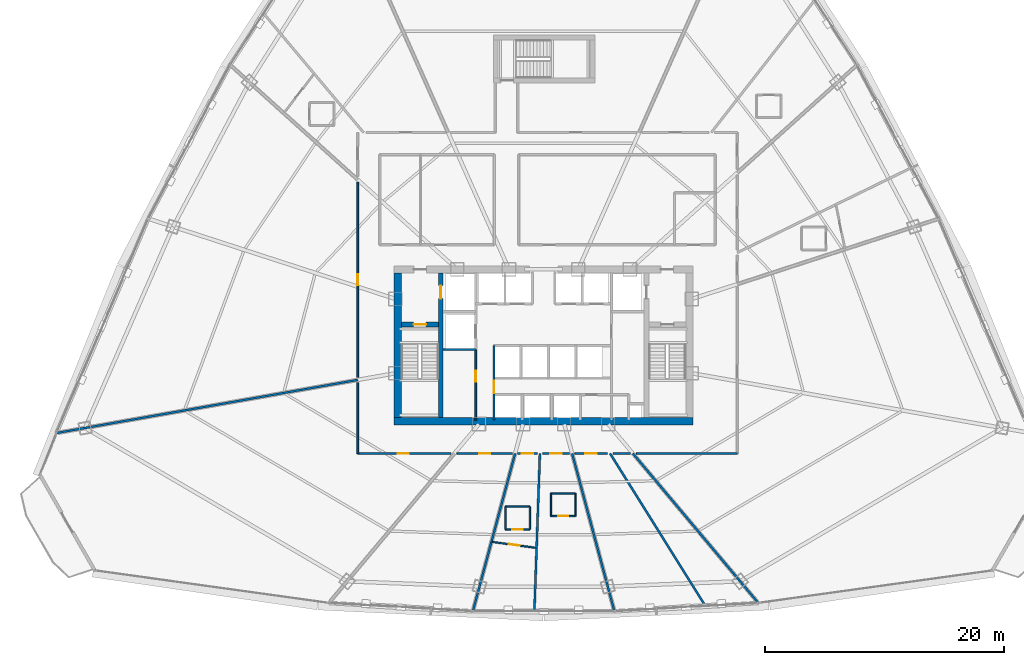
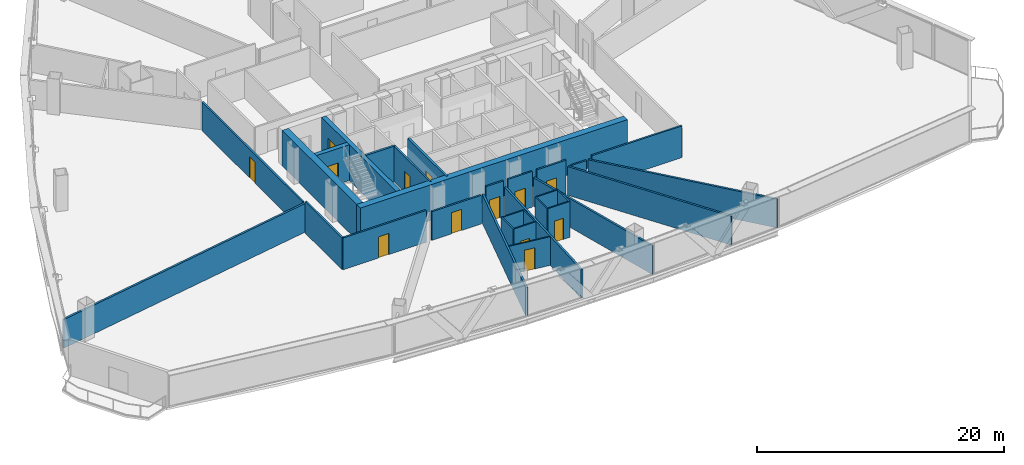
# One storey, part 29 of 37: 31 walls, 13 doors, 13 openings.
"""IFC4 building model written with IfcOpenShell, lengths in metres."""

from ifc_helpers import new_model, si_unit, direction, frame, frame_2d, origin, origin_with_axes, place, context, subcontext, project, spatial, rectangle, extrude, source, transform, mapped, material, layer, layer_set, type_object, element, fill, save


model = new_model("IFC4")

# Units and contexts
model_context = context("Model", 3, precision=1e-05, world=origin(), true_north=direction((0.0, 1.0)))
body_context = subcontext(model_context, "Body", "Model", "MODEL_VIEW")
ifc_project = project(units=[si_unit("LENGTHUNIT", "METRE"), si_unit("AREAUNIT", "SQUARE_METRE"), si_unit("VOLUMEUNIT", "CUBIC_METRE"), si_unit("PLANEANGLEUNIT", "RADIAN"), si_unit("MASSUNIT", "GRAM", prefix="KILO"), si_unit("THERMODYNAMICTEMPERATUREUNIT", "KELVIN"), si_unit("POWERUNIT", "WATT")], contexts=[model_context])

# Site, building, storey
site_placement = place(None, origin())
site = spatial("IfcSite", under=ifc_project, at=site_placement, CompositionType="ELEMENT")
building_placement = place(site_placement, origin())
building = spatial("IfcBuilding", under=site, at=building_placement, Name="Yunzhuo Pagoda Commons", CompositionType="ELEMENT")
storey_placement = place(building_placement, frame((0.0, 0.0, 88.780029296875)))
storey = spatial("IfcBuildingStorey", under=building, at=storey_placement, Name="L22", CompositionType="ELEMENT", Elevation=88.780029296875)

# Walls
ifc_material_1 = material(Name="Concrete C60", Category="concrete")
ifc_layer_1 = layer(ifc_material_1, 0.60009765625)
ifc_layer_set_1 = layer_set([ifc_layer_1], Name="Concrete C60")
wall_type_1 = type_object("IfcWallType", Name="W-C02 Mid Core Shear Wall 600", PredefinedType="SHEAR", material=ifc_layer_set_1)
wall_1_placement = place(storey_placement, frame((35.5, 27.5, 0.0), z_axis=(0.0, 0.0, 1.0), x_axis=(1.0, 0.0, 0.0)))
element("IfcWall", 1, at=wall_1_placement, inside=storey, type_object=wall_type_1, Name="L22 core shear wall S", PredefinedType="SHEAR", context=body_context, shape_type="SweptSolid", body=[
    extrude(rectangle(XDim=25.0, YDim=0.60009765625, at=frame_2d((12.5, 0.0))), origin(), (0.0, 0.0, 1.0), 3.5400390625),
])
wall_2_placement = place(storey_placement, frame((35.800048828125, 27.800048828125, 0.0), z_axis=(0.0, 0.0, 1.0), x_axis=(0.0, 1.0, 0.0)))
element("IfcWall", 2, at=wall_2_placement, inside=storey, type_object=wall_type_1, Name="L22 core shear wall W", PredefinedType="SHEAR", context=body_context, shape_type="SweptSolid", body=[
    extrude(rectangle(XDim=12.099853515625, YDim=0.60009765625, at=frame_2d((6.0498046875, 0.0))), origin(), (0.0, 0.0, 1.0), 3.5400390625),
])

# Wall, opening, door
ifc_material_2 = material(Name="Gypsum plasterboard on acoustic stud")
ifc_layer_2 = layer(ifc_material_2, 0.159912109375)
ifc_layer_set_2 = layer_set([ifc_layer_2], Name="Gypsum plasterboard on acoustic stud")
wall_type_2 = type_object("IfcWallType", Name="W-COR1 Tower Rated Corridor Wall 160", PredefinedType="PARTITIONING", material=ifc_layer_set_2)
wall_3_placement = place(storey_placement, frame((42.320068359375, 27.60009765625, 0.0), z_axis=(0.0, 0.0, 1.0), x_axis=(0.0, 1.0, 0.0)))
wall_3 = element("IfcWall", 3, at=wall_3_placement, inside=storey, type_object=wall_type_2, Name="L22 interior wall IW-L22-CSWE", PredefinedType="PARTITIONING", context=body_context, shape_type="SweptSolid", body=[
    extrude(rectangle(XDim=5.89990234375, YDim=0.159912109375, at=frame_2d((2.949951171875, 0.0))), origin(), (0.0, 0.0, 1.0), 3.5400390625),
])
opening_1_placement = place(wall_3_placement, frame((3.199951171875, 0.0, 0.0)))
opening_1 = element("IfcOpeningElement", 4, at=opening_1_placement, cuts=wall_3, Name="Opening D-11", PredefinedType="OPENING", context=body_context, shape_type="SweptSolid", body=[
    extrude(rectangle(XDim=0.93994140625, YDim=2.10009765625, at=frame_2d((0.469970703125, 1.050048828125))), frame((0.0, 0.08984375, 0.0), z_axis=(0.0, -1.0, 0.0), x_axis=(1.0, 0.0, 0.0)), (0.0, 0.0, 1.0), 0.179931640625),
])
ifc_material_3 = material(Name="Galvanized fire-resisting metal leaf")
door_type_1 = type_object("IfcDoorType", Name="D-11 Accessible Washroom Fire Door 940x2100", OperationType="NOTDEFINED", PredefinedType="DOOR", material=ifc_material_3)
shared_shape_1 = source(origin(), body_context, "Body", "SweptSolid", [
    extrude(rectangle(XDim=0.93994140625, YDim=2.10009765625, at=frame_2d((0.469970703125, 1.050048828125))), frame((0.0, 0.02490234375, 0.0), z_axis=(0.0, -1.0, 0.0), x_axis=(1.0, 0.0, 0.0)), (0.0, 0.0, 1.0), 0.050048828125),
])
door_1_placement = place(opening_1_placement, origin_with_axes())
door_1 = element("IfcDoor", 5, at=door_1_placement, inside=storey, type_object=door_type_1, Name="L22 core WC door", OperationType="SINGLE_SWING_LEFT", OverallHeight=2.10009765625, OverallWidth=0.93994140625, PredefinedType="DOOR", context=body_context, shape_type="MappedRepresentation", body=[
    mapped(shared_shape_1, transform((0.0, 0.0, 0.0), scale=1.0)),
])
fill(opening_1, door_1)

# Wall
wall_4_placement = place(storey_placement, frame((32.449951171875, 24.800048828125, 0.0), z_axis=(0.0, 0.0, 1.0), x_axis=(0.0, 1.0, 0.0)))
element("IfcWall", 6, at=wall_4_placement, inside=storey, type_object=wall_type_2, Name="L22 interior wall IW-L22-CWL01", PredefinedType="PARTITIONING", context=body_context, shape_type="SweptSolid", body=[
    extrude(rectangle(XDim=5.9345703125, YDim=0.159912109375, at=frame_2d((2.96728515625, 0.0))), origin(), (0.0, 0.0, 1.0), 3.139892578125),
])

# Wall, opening, door
wall_5_placement = place(storey_placement, frame((32.449951171875, 31.177978515625, 0.0), z_axis=(0.0, 0.0, 1.0), x_axis=(0.0, 1.0, 0.0)))
wall_5 = element("IfcWall", 7, at=wall_5_placement, inside=storey, type_object=wall_type_2, Name="L22 interior wall IW-L22-CWL02", PredefinedType="PARTITIONING", context=body_context, shape_type="SweptSolid", body=[
    extrude(rectangle(XDim=16.3037109375, YDim=0.159912109375, at=frame_2d((8.15185546875, 0.0))), origin(), (0.0, 0.0, 1.0), 2.840087890625),
])
opening_2_placement = place(wall_5_placement, frame((7.6767578125, 0.0, 0.0)))
opening_2 = element("IfcOpeningElement", 8, at=opening_2_placement, cuts=wall_5, Name="Opening D-06", PredefinedType="OPENING", context=body_context, shape_type="SweptSolid", body=[
    extrude(rectangle(XDim=0.949951171875, YDim=2.10009765625, at=frame_2d((0.47509765625, 1.050048828125))), frame((0.0, 0.08984375, 0.0), z_axis=(0.0, -1.0, 0.0), x_axis=(1.0, 0.0, 0.0)), (0.0, 0.0, 1.0), 0.179931640625),
])
door_type_2 = type_object("IfcDoorType", Name="D-06 Co-Living Suite Entrance Fire Door 950x2100", OperationType="NOTDEFINED", PredefinedType="DOOR", material=ifc_material_3)
shared_shape_2 = source(origin(), body_context, "Body", "SweptSolid", [
    extrude(rectangle(XDim=0.949951171875, YDim=2.10009765625, at=frame_2d((0.47509765625, 1.050048828125))), frame((0.0, 0.02490234375, 0.0), z_axis=(0.0, -1.0, 0.0), x_axis=(1.0, 0.0, 0.0)), (0.0, 0.0, 1.0), 0.050048828125),
])
door_2_placement = place(opening_2_placement, origin_with_axes())
door_2 = element("IfcDoor", 9, at=door_2_placement, inside=storey, type_object=door_type_2, Name="L22 Shared Resident Kitchen and Pantry door", OperationType="SINGLE_SWING_RIGHT", OverallHeight=2.10009765625, OverallWidth=0.949951171875, PredefinedType="DOOR", context=body_context, shape_type="MappedRepresentation", body=[
    mapped(shared_shape_2, transform((0.0, 0.0, 0.0), scale=1.0)),
])
fill(opening_2, door_2)

# Walls
wall_6_placement = place(storey_placement, frame((64.199951171875, 24.800048828125, 0.0), z_axis=(0.0, 0.0, 1.0), x_axis=(-1.0, 0.0, 0.0)))
element("IfcWall", 10, at=wall_6_placement, inside=storey, type_object=wall_type_2, Name="L22 interior wall IW-L22-CWL15", PredefinedType="PARTITIONING", context=body_context, shape_type="SweptSolid", body=[
    extrude(rectangle(XDim=8.44482421875, YDim=0.159912109375, at=frame_2d((4.222412109375, 0.0))), origin(), (0.0, 0.0, 1.0), 3.139892578125),
])
wall_7_placement = place(storey_placement, frame((55.248046875, 24.800048828125, 0.0), z_axis=(0.0, 0.0, 1.0), x_axis=(-1.0, 0.0, 0.0)))
element("IfcWall", 11, at=wall_7_placement, inside=storey, type_object=wall_type_2, Name="L22 interior wall IW-L22-CWL16", PredefinedType="PARTITIONING", context=body_context, shape_type="SweptSolid", body=[
    extrude(rectangle(XDim=1.42724609375, YDim=0.159912109375, at=frame_2d((0.713623046875, 0.0))), origin(), (0.0, 0.0, 1.0), 2.840087890625),
])

# Wall, opening, door
wall_8_placement = place(storey_placement, frame((53.341552734375, 24.800048828125, 0.0), z_axis=(0.0, 0.0, 1.0), x_axis=(-1.0, 0.0, 0.0)))
wall_8 = element("IfcWall", 12, at=wall_8_placement, inside=storey, type_object=wall_type_2, Name="L22 interior wall IW-L22-CWL17", PredefinedType="PARTITIONING", context=body_context, shape_type="SweptSolid", body=[
    extrude(rectangle(XDim=2.72900390625, YDim=0.159912109375, at=frame_2d((1.364501953125, 0.0))), origin(), (0.0, 0.0, 1.0), 3.5400390625),
])
opening_3_placement = place(wall_8_placement, frame((0.8935546875, 0.0, 0.0)))
opening_3 = element("IfcOpeningElement", 13, at=opening_3_placement, cuts=wall_8, Name="Opening D-06", PredefinedType="OPENING", context=body_context, shape_type="SweptSolid", body=[
    extrude(rectangle(XDim=0.949951171875, YDim=2.10009765625, at=frame_2d((0.47509765625, 1.050048828125))), frame((0.0, 0.08984375, 0.0), z_axis=(0.0, -1.0, 0.0), x_axis=(1.0, 0.0, 0.0)), (0.0, 0.0, 1.0), 0.179931640625),
])
door_3_placement = place(opening_3_placement, origin_with_axes())
door_3 = element("IfcDoor", 14, at=door_3_placement, inside=storey, type_object=door_type_2, Name="L22 unit 13 entrance door", OperationType="SINGLE_SWING_LEFT", OverallHeight=2.10009765625, OverallWidth=0.949951171875, PredefinedType="DOOR", context=body_context, shape_type="MappedRepresentation", body=[
    mapped(shared_shape_2, transform((0.0, 0.0, 0.0), scale=1.0)),
])
fill(opening_3, door_3)

wall_9_placement = place(storey_placement, frame((50.164794921875, 24.800048828125, 0.0), z_axis=(0.0, 0.0, 1.0), x_axis=(-1.0, 0.0, 0.0)))
wall_9 = element("IfcWall", 15, at=wall_9_placement, inside=storey, type_object=wall_type_2, Name="L22 interior wall IW-L22-CWL18", PredefinedType="PARTITIONING", context=body_context, shape_type="SweptSolid", body=[
    extrude(rectangle(XDim=2.255859375, YDim=0.159912109375, at=frame_2d((1.1279296875, 0.0))), origin(), (0.0, 0.0, 1.0), 3.5400390625),
])
opening_4_placement = place(wall_9_placement, frame((0.65283203125, 0.0, 0.0)))
opening_4 = element("IfcOpeningElement", 16, at=opening_4_placement, cuts=wall_9, Name="Opening D-06", PredefinedType="OPENING", context=body_context, shape_type="SweptSolid", body=[
    extrude(rectangle(XDim=0.949951171875, YDim=2.10009765625, at=frame_2d((0.47509765625, 1.050048828125))), frame((0.0, 0.08984375, 0.0), z_axis=(0.0, -1.0, 0.0), x_axis=(1.0, 0.0, 0.0)), (0.0, 0.0, 1.0), 0.179931640625),
])
door_4_placement = place(opening_4_placement, origin_with_axes())
door_4 = element("IfcDoor", 17, at=door_4_placement, inside=storey, type_object=door_type_2, Name="L22 unit 12 entrance door", OperationType="SINGLE_SWING_RIGHT", OverallHeight=2.10009765625, OverallWidth=0.949951171875, PredefinedType="DOOR", context=body_context, shape_type="MappedRepresentation", body=[
    mapped(shared_shape_2, transform((0.0, 0.0, 0.0), scale=1.0)),
])
fill(opening_4, door_4)

wall_10_placement = place(storey_placement, frame((47.468994140625, 24.800048828125, 0.0), z_axis=(0.0, 0.0, 1.0), x_axis=(-1.0, 0.0, 0.0)))
wall_10 = element("IfcWall", 18, at=wall_10_placement, inside=storey, type_object=wall_type_2, Name="L22 interior wall IW-L22-CWL19", PredefinedType="PARTITIONING", context=body_context, shape_type="SweptSolid", body=[
    extrude(rectangle(XDim=1.6337890625, YDim=0.159912109375, at=frame_2d((0.81689453125, 0.0))), origin(), (0.0, 0.0, 1.0), 3.5400390625),
])
opening_5_placement = place(wall_10_placement, frame((0.341796875, 0.0, 0.0)))
opening_5 = element("IfcOpeningElement", 19, at=opening_5_placement, cuts=wall_10, Name="Opening D-06", PredefinedType="OPENING", context=body_context, shape_type="SweptSolid", body=[
    extrude(rectangle(XDim=0.949951171875, YDim=2.10009765625, at=frame_2d((0.47509765625, 1.050048828125))), frame((0.0, 0.08984375, 0.0), z_axis=(0.0, -1.0, 0.0), x_axis=(1.0, 0.0, 0.0)), (0.0, 0.0, 1.0), 0.179931640625),
])
door_5_placement = place(opening_5_placement, origin_with_axes())
door_5 = element("IfcDoor", 20, at=door_5_placement, inside=storey, type_object=door_type_2, Name="L22 unit 11 entrance door", OperationType="SINGLE_SWING_LEFT", OverallHeight=2.10009765625, OverallWidth=0.949951171875, PredefinedType="DOOR", context=body_context, shape_type="MappedRepresentation", body=[
    mapped(shared_shape_2, transform((0.0, 0.0, 0.0), scale=1.0)),
])
fill(opening_5, door_5)

wall_11_placement = place(storey_placement, frame((45.387451171875, 24.800048828125, 0.0), z_axis=(0.0, 0.0, 1.0), x_axis=(-1.0, 0.0, 0.0)))
wall_11 = element("IfcWall", 21, at=wall_11_placement, inside=storey, type_object=wall_type_2, Name="L22 interior wall IW-L22-CWL20", PredefinedType="PARTITIONING", context=body_context, shape_type="SweptSolid", body=[
    extrude(rectangle(XDim=4.635498046875, YDim=0.159912109375, at=frame_2d((2.31787109375, 0.0))), origin(), (0.0, 0.0, 1.0), 2.840087890625),
])
opening_6_placement = place(wall_11_placement, frame((1.8388671875, 0.0, 0.0)))
opening_6 = element("IfcOpeningElement", 22, at=opening_6_placement, cuts=wall_11, Name="Opening D-06", PredefinedType="OPENING", context=body_context, shape_type="SweptSolid", body=[
    extrude(rectangle(XDim=0.949951171875, YDim=2.10009765625, at=frame_2d((0.47509765625, 1.050048828125))), frame((0.0, 0.08984375, 0.0), z_axis=(0.0, -1.0, 0.0), x_axis=(1.0, 0.0, 0.0)), (0.0, 0.0, 1.0), 0.179931640625),
])
door_6_placement = place(opening_6_placement, origin_with_axes())
door_6 = element("IfcDoor", 23, at=door_6_placement, inside=storey, type_object=door_type_2, Name="L22 unit 10 entrance door", OperationType="SINGLE_SWING_RIGHT", OverallHeight=2.10009765625, OverallWidth=0.949951171875, PredefinedType="DOOR", context=body_context, shape_type="MappedRepresentation", body=[
    mapped(shared_shape_2, transform((0.0, 0.0, 0.0), scale=1.0)),
])
fill(opening_6, door_6)

wall_12_placement = place(storey_placement, frame((40.244873046875, 24.800048828125, 0.0), z_axis=(0.0, 0.0, 1.0), x_axis=(-1.0, 0.0, 0.0)))
wall_12 = element("IfcWall", 24, at=wall_12_placement, inside=storey, type_object=wall_type_2, Name="L22 interior wall IW-L22-CWL21", PredefinedType="PARTITIONING", context=body_context, shape_type="SweptSolid", body=[
    extrude(rectangle(XDim=7.794921875, YDim=0.159912109375, at=frame_2d((3.8974609375, 0.0))), origin(), (0.0, 0.0, 1.0), 3.139892578125),
])
opening_7_placement = place(wall_12_placement, frame((3.5087890625, 0.0, 0.0)))
opening_7 = element("IfcOpeningElement", 25, at=opening_7_placement, cuts=wall_12, Name="Opening D-06", PredefinedType="OPENING", context=body_context, shape_type="SweptSolid", body=[
    extrude(rectangle(XDim=0.949951171875, YDim=2.10009765625, at=frame_2d((0.47509765625, 1.050048828125))), frame((0.0, 0.08984375, 0.0), z_axis=(0.0, -1.0, 0.0), x_axis=(1.0, 0.0, 0.0)), (0.0, 0.0, 1.0), 0.179931640625),
])
door_7_placement = place(opening_7_placement, origin_with_axes())
door_7 = element("IfcDoor", 26, at=door_7_placement, inside=storey, type_object=door_type_2, Name="L22 unit 09 entrance door", OperationType="SINGLE_SWING_LEFT", OverallHeight=2.10009765625, OverallWidth=0.949951171875, PredefinedType="DOOR", context=body_context, shape_type="MappedRepresentation", body=[
    mapped(shared_shape_2, transform((0.0, 0.0, 0.0), scale=1.0)),
])
fill(opening_7, door_7)

ifc_layer_3 = layer(ifc_material_2, 0.1201171875)
ifc_layer_set_3 = layer_set([ifc_layer_3], Name="Gypsum plasterboard on acoustic stud")
wall_type_3 = type_object("IfcWallType", Name="W-PRT1 Suite & Bathroom Partition 120", PredefinedType="PARTITIONING", material=ifc_layer_set_3)
wall_13_placement = place(storey_placement, frame((44.7958984375, 18.4609375, 0.0), z_axis=(0.0, 0.0, 1.0), x_axis=(1.0, 0.0, 0.0)))
wall_13 = element("IfcWall", 27, at=wall_13_placement, inside=storey, type_object=wall_type_3, Name="L22 interior wall IW-L22-B11S", PredefinedType="PARTITIONING", context=body_context, shape_type="SweptSolid", body=[
    extrude(rectangle(XDim=2.050048828125, YDim=0.1201171875, at=frame_2d((1.02490234375, 0.0))), origin(), (0.0, 0.0, 1.0), 3.5400390625),
])
opening_8_placement = place(wall_13_placement, frame((0.60009765625, 0.0, 0.0)))
opening_8 = element("IfcOpeningElement", 28, at=opening_8_placement, cuts=wall_13, Name="Opening D-05", PredefinedType="OPENING", context=body_context, shape_type="SweptSolid", body=[
    extrude(rectangle(XDim=0.85009765625, YDim=2.10009765625, at=frame_2d((0.425048828125, 1.050048828125))), frame((0.0, 0.070068359375, 0.0), z_axis=(0.0, -1.0, 0.0), x_axis=(1.0, 0.0, 0.0)), (0.0, 0.0, 1.0), 0.14013671875),
])
ifc_material_4 = material(Name="Powder-coated aluminium and timber acoustic leaf", Category="wood")
door_type_3 = type_object("IfcDoorType", Name="D-05 En-Suite Bathroom Door 850x2100", OperationType="NOTDEFINED", PredefinedType="DOOR", material=ifc_material_4)
shared_shape_3 = source(origin(), body_context, "Body", "SweptSolid", [
    extrude(rectangle(XDim=0.85009765625, YDim=2.10009765625, at=frame_2d((0.425048828125, 1.050048828125))), frame((0.0, 0.02490234375, 0.0), z_axis=(0.0, -1.0, 0.0), x_axis=(1.0, 0.0, 0.0)), (0.0, 0.0, 1.0), 0.050048828125),
])
door_8_placement = place(opening_8_placement, frame((0.85009765625, 0.0, 0.0), z_axis=(0.0, 0.0, 1.0), x_axis=(-1.0, 0.0, 0.0)))
door_8 = element("IfcDoor", 29, at=door_8_placement, inside=storey, type_object=door_type_3, Name="L22 unit 11 bathroom door", OperationType="SINGLE_SWING_LEFT", OverallHeight=2.10009765625, OverallWidth=0.85009765625, PredefinedType="DOOR", context=body_context, shape_type="MappedRepresentation", body=[
    mapped(shared_shape_3, transform((0.0, 0.0, 0.0), scale=1.0)),
])
fill(opening_8, door_8)

# Walls
wall_14_placement = place(storey_placement, frame((46.845947265625, 18.4609375, 0.0), z_axis=(0.0, 0.0, 1.0), x_axis=(0.0, 1.0, 0.0)))
element("IfcWall", 30, at=wall_14_placement, inside=storey, type_object=wall_type_3, Name="L22 interior wall IW-L22-B11E", PredefinedType="PARTITIONING", context=body_context, shape_type="SweptSolid", body=[
    extrude(rectangle(XDim=1.900146484375, YDim=0.1201171875, at=frame_2d((0.9501953125, 0.0))), origin(), (0.0, 0.0, 1.0), 3.5400390625),
])
wall_15_placement = place(storey_placement, frame((46.845947265625, 20.361083984375, 0.0), z_axis=(0.0, 0.0, 1.0), x_axis=(-1.0, 0.0, 0.0)))
element("IfcWall", 31, at=wall_15_placement, inside=storey, type_object=wall_type_3, Name="L22 interior wall IW-L22-B11N", PredefinedType="PARTITIONING", context=body_context, shape_type="SweptSolid", body=[
    extrude(rectangle(XDim=2.050048828125, YDim=0.1201171875, at=frame_2d((1.02490234375, 0.0))), origin(), (0.0, 0.0, 1.0), 3.5400390625),
])
wall_16_placement = place(storey_placement, frame((44.7958984375, 20.361083984375, 0.0), z_axis=(0.0, 0.0, 1.0), x_axis=(0.0, -1.0, 0.0)))
element("IfcWall", 32, at=wall_16_placement, inside=storey, type_object=wall_type_3, Name="L22 interior wall IW-L22-B11W", PredefinedType="PARTITIONING", context=body_context, shape_type="SweptSolid", body=[
    extrude(rectangle(XDim=1.900146484375, YDim=0.1201171875, at=frame_2d((0.9501953125, 0.0))), origin(), (0.0, 0.0, 1.0), 3.5400390625),
])

# Wall, opening, door
wall_17_placement = place(storey_placement, frame((43.69580078125, 17.405029296875, 0.0), z_axis=(0.0, 0.0, 1.0), x_axis=(0.99099005791, -0.133935451329, 0.0)))
wall_17 = element("IfcWall", 33, at=wall_17_placement, inside=storey, type_object=wall_type_3, Name="L22 interior wall IW-L22-CLB11", PredefinedType="PARTITIONING", context=body_context, shape_type="SweptSolid", body=[
    extrude(rectangle(XDim=3.691162109375, YDim=0.1201171875, at=frame_2d((1.845703125, 0.0))), origin(), (0.0, 0.0, 1.0), 2.840087890625),
])
opening_9_placement = place(wall_17_placement, frame((1.385498046875, 0.0, 0.0)))
opening_9 = element("IfcOpeningElement", 34, at=opening_9_placement, cuts=wall_17, Name="Opening D-04", PredefinedType="OPENING", context=body_context, shape_type="SweptSolid", body=[
    extrude(rectangle(XDim=0.919921875, YDim=2.10009765625, at=frame_2d((0.4599609375, 1.050048828125))), frame((0.0, 0.070068359375, 0.0), z_axis=(0.0, -1.0, 0.0), x_axis=(1.0, 0.0, 0.0)), (0.0, 0.0, 1.0), 0.14013671875),
])
door_type_4 = type_object("IfcDoorType", Name="D-04 Bedroom & Study Interior Door 920x2100", OperationType="NOTDEFINED", PredefinedType="DOOR", material=ifc_material_4)
shared_shape_4 = source(origin(), body_context, "Body", "SweptSolid", [
    extrude(rectangle(XDim=0.919921875, YDim=2.10009765625, at=frame_2d((0.4599609375, 1.050048828125))), frame((0.0, 0.02490234375, 0.0), z_axis=(0.0, -1.0, 0.0), x_axis=(1.0, 0.0, 0.0)), (0.0, 0.0, 1.0), 0.050048828125),
])
door_9_placement = place(opening_9_placement, origin_with_axes())
door_9 = element("IfcDoor", 35, at=door_9_placement, inside=storey, type_object=door_type_4, Name="L22 suite 11 bedroom door", OperationType="SINGLE_SWING_LEFT", OverallHeight=2.10009765625, OverallWidth=0.919921875, PredefinedType="DOOR", context=body_context, shape_type="MappedRepresentation", body=[
    mapped(shared_shape_4, transform((0.0, 0.0, 0.0), scale=1.0)),
])
fill(opening_9, door_9)

wall_18_placement = place(storey_placement, frame((48.615966796875, 19.56591796875, 0.0), z_axis=(0.0, 0.0, 1.0), x_axis=(1.0, 0.0, 0.0)))
wall_18 = element("IfcWall", 36, at=wall_18_placement, inside=storey, type_object=wall_type_3, Name="L22 interior wall IW-L22-B12S", PredefinedType="PARTITIONING", context=body_context, shape_type="SweptSolid", body=[
    extrude(rectangle(XDim=2.050048828125, YDim=0.1201171875, at=frame_2d((1.02490234375, 0.0))), origin(), (0.0, 0.0, 1.0), 3.5400390625),
])
opening_10_placement = place(wall_18_placement, frame((0.60009765625, 0.0, 0.0)))
opening_10 = element("IfcOpeningElement", 37, at=opening_10_placement, cuts=wall_18, Name="Opening D-05", PredefinedType="OPENING", context=body_context, shape_type="SweptSolid", body=[
    extrude(rectangle(XDim=0.85009765625, YDim=2.10009765625, at=frame_2d((0.425048828125, 1.050048828125))), frame((0.0, 0.070068359375, 0.0), z_axis=(0.0, -1.0, 0.0), x_axis=(1.0, 0.0, 0.0)), (0.0, 0.0, 1.0), 0.14013671875),
])
door_10_placement = place(opening_10_placement, frame((0.85009765625, 0.0, 0.0), z_axis=(0.0, 0.0, 1.0), x_axis=(-1.0, 0.0, 0.0)))
door_10 = element("IfcDoor", 38, at=door_10_placement, inside=storey, type_object=door_type_3, Name="L22 unit 12 bathroom door", OperationType="SINGLE_SWING_RIGHT", OverallHeight=2.10009765625, OverallWidth=0.85009765625, PredefinedType="DOOR", context=body_context, shape_type="MappedRepresentation", body=[
    mapped(shared_shape_3, transform((0.0, 0.0, 0.0), scale=1.0)),
])
fill(opening_10, door_10)

# Walls
wall_19_placement = place(storey_placement, frame((50.666015625, 19.56591796875, 0.0), z_axis=(0.0, 0.0, 1.0), x_axis=(0.0, 1.0, 0.0)))
element("IfcWall", 39, at=wall_19_placement, inside=storey, type_object=wall_type_3, Name="L22 interior wall IW-L22-B12E", PredefinedType="PARTITIONING", context=body_context, shape_type="SweptSolid", body=[
    extrude(rectangle(XDim=1.900146484375, YDim=0.1201171875, at=frame_2d((0.9501953125, 0.0))), origin(), (0.0, 0.0, 1.0), 3.5400390625),
])
wall_20_placement = place(storey_placement, frame((50.666015625, 21.466064453125, 0.0), z_axis=(0.0, 0.0, 1.0), x_axis=(-1.0, 0.0, 0.0)))
element("IfcWall", 40, at=wall_20_placement, inside=storey, type_object=wall_type_3, Name="L22 interior wall IW-L22-B12N", PredefinedType="PARTITIONING", context=body_context, shape_type="SweptSolid", body=[
    extrude(rectangle(XDim=2.050048828125, YDim=0.1201171875, at=frame_2d((1.02490234375, 0.0))), origin(), (0.0, 0.0, 1.0), 3.5400390625),
])
wall_21_placement = place(storey_placement, frame((48.615966796875, 21.466064453125, 0.0), z_axis=(0.0, 0.0, 1.0), x_axis=(0.0, -1.0, 0.0)))
element("IfcWall", 41, at=wall_21_placement, inside=storey, type_object=wall_type_3, Name="L22 interior wall IW-L22-B12W", PredefinedType="PARTITIONING", context=body_context, shape_type="SweptSolid", body=[
    extrude(rectangle(XDim=1.900146484375, YDim=0.1201171875, at=frame_2d((0.9501953125, 0.0))), origin(), (0.0, 0.0, 1.0), 3.5400390625),
])
ifc_layer_4 = layer(ifc_material_2, 0.179931640625)
ifc_layer_set_4 = layer_set([ifc_layer_4], Name="Gypsum plasterboard on acoustic stud")
wall_type_4 = type_object("IfcWallType", Name="W-PRT2 Acoustic Unit Demising Wall 180", PredefinedType="PARTITIONING", material=ifc_layer_set_4)
wall_22_placement = place(storey_placement, frame((32.449951171875, 30.9580078125, 0.0), z_axis=(0.0, 0.0, 1.0), x_axis=(-0.984808048641, -0.173646501066, 0.0)))
element("IfcWall", 42, at=wall_22_placement, inside=storey, type_object=wall_type_4, Name="L22 interior wall IW-L22-RAD09", PredefinedType="PARTITIONING", context=body_context, shape_type="SweptSolid", body=[
    extrude(rectangle(XDim=25.58154296875, YDim=0.179931640625, at=frame_2d((12.790771484375, 0.0))), origin(), (0.0, 0.0, 1.0), 2.840087890625),
])
wall_23_placement = place(storey_placement, frame((45.615234375, 24.800048828125, 0.0), z_axis=(0.0, 0.0, 1.0), x_axis=(-0.25881675816, -0.965926439071, 0.0)))
element("IfcWall", 43, at=wall_23_placement, inside=storey, type_object=wall_type_4, Name="L22 interior wall IW-L22-RAD11", PredefinedType="PARTITIONING", context=body_context, shape_type="SweptSolid", body=[
    extrude(rectangle(XDim=13.66455078125, YDim=0.179931640625, at=frame_2d((6.832275390625, 0.0))), origin(), (0.0, 0.0, 1.0), 2.840087890625),
])
wall_24_placement = place(storey_placement, frame((47.689208984375, 24.800048828125, 0.0), z_axis=(0.0, 0.0, 1.0), x_axis=(-0.034900944933, -0.999390776445, 0.0)))
element("IfcWall", 44, at=wall_24_placement, inside=storey, type_object=wall_type_4, Name="L22 interior wall IW-L22-RAD12", PredefinedType="PARTITIONING", context=body_context, shape_type="SweptSolid", body=[
    extrude(rectangle(XDim=13.20703125, YDim=0.179931640625, at=frame_2d((6.603515625, 0.0))), origin(), (0.0, 0.0, 1.0), 2.840087890625),
])
wall_25_placement = place(storey_placement, frame((50.384765625, 24.800048828125, 0.0), z_axis=(0.0, 0.0, 1.0), x_axis=(0.25881675816, -0.965926439071, 0.0)))
element("IfcWall", 45, at=wall_25_placement, inside=storey, type_object=wall_type_4, Name="L22 interior wall IW-L22-RAD13", PredefinedType="PARTITIONING", context=body_context, shape_type="SweptSolid", body=[
    extrude(rectangle(XDim=13.66455078125, YDim=0.179931640625, at=frame_2d((6.832275390625, 0.0))), origin(), (0.0, 0.0, 1.0), 2.840087890625),
])
wall_26_placement = place(storey_placement, frame((53.561279296875, 24.800048828125, 0.0), z_axis=(0.0, 0.0, 1.0), x_axis=(0.529927477017, -0.848042964184, 0.0)))
element("IfcWall", 46, at=wall_26_placement, inside=storey, type_object=wall_type_4, Name="L22 interior wall IW-L22-RAD14", PredefinedType="PARTITIONING", context=body_context, shape_type="SweptSolid", body=[
    extrude(rectangle(XDim=15.047607421875, YDim=0.179931640625, at=frame_2d((7.52392578125, 0.0))), origin(), (0.0, 0.0, 1.0), 2.840087890625),
])
wall_27_placement = place(storey_placement, frame((55.468017578125, 24.800048828125, 0.0), z_axis=(0.0, 0.0, 1.0), x_axis=(0.642790086939, -0.76604236445, 0.0)))
element("IfcWall", 47, at=wall_27_placement, inside=storey, type_object=wall_type_4, Name="L22 interior wall IW-L22-RAD15", PredefinedType="PARTITIONING", context=body_context, shape_type="SweptSolid", body=[
    extrude(rectangle(XDim=16.325927734375, YDim=0.179931640625, at=frame_2d((8.1630859375, 0.0))), origin(), (0.0, 0.0, 1.0), 2.840087890625),
])

# Wall, opening, door
ifc_layer_5 = layer(ifc_material_1, 0.39990234375)
ifc_layer_set_5 = layer_set([ifc_layer_5], Name="Concrete C60")
wall_type_5 = type_object("IfcWallType", Name="W-S01 Internal Core Shear Web 400", PredefinedType="SHEAR", material=ifc_layer_set_5)
wall_28_placement = place(storey_placement, frame((39.39990234375, 27.800048828125, 0.0), z_axis=(0.0, 0.0, 1.0), x_axis=(0.0, 1.0, 0.0)))
wall_28 = element("IfcWall", 48, at=wall_28_placement, inside=storey, type_object=wall_type_5, Name="L22 core shear wall WEBW", PredefinedType="SHEAR", context=body_context, shape_type="SweptSolid", body=[
    extrude(rectangle(XDim=12.099853515625, YDim=0.39990234375, at=frame_2d((6.0498046875, 0.0))), origin(), (0.0, 0.0, 1.0), 3.5400390625),
])
opening_11_placement = place(wall_28_placement, frame((9.949951171875, 0.0, 0.0)))
opening_11 = element("IfcOpeningElement", 49, at=opening_11_placement, cuts=wall_28, Name="Opening LD-01", PredefinedType="OPENING", context=body_context, shape_type="SweptSolid", body=[
    extrude(rectangle(XDim=1.10009765625, YDim=2.10009765625, at=frame_2d((0.550048828125, 1.050048828125))), frame((0.0, 0.2099609375, 0.0), z_axis=(0.0, -1.0, 0.0), x_axis=(1.0, 0.0, 0.0)), (0.0, 0.0, 1.0), 0.419921875),
])
door_type_5 = type_object("IfcDoorType", Name="LD-01 Firefighting Lift Landing Door 1100x2100", OperationType="DOUBLE_DOOR_SLIDING", PredefinedType="DOOR", material=ifc_material_3)
shared_shape_5 = source(origin(), body_context, "Body", "SweptSolid", [
    extrude(rectangle(XDim=1.10009765625, YDim=2.10009765625, at=frame_2d((0.550048828125, 1.050048828125))), frame((0.0, 0.02490234375, 0.0), z_axis=(0.0, -1.0, 0.0), x_axis=(1.0, 0.0, 0.0)), (0.0, 0.0, 1.0), 0.050048828125),
])
door_11_placement = place(opening_11_placement, frame((1.10009765625, 0.0, 0.0), z_axis=(0.0, 0.0, 1.0), x_axis=(-1.0, 0.0, 0.0)))
door_11 = element("IfcDoor", 50, at=door_11_placement, inside=storey, type_object=door_type_5, Name="L22 Firefighting lift FL-1 landing door", OperationType="DOUBLE_DOOR_SLIDING", OverallHeight=2.10009765625, OverallWidth=1.10009765625, PredefinedType="DOOR", context=body_context, shape_type="MappedRepresentation", body=[
    mapped(shared_shape_5, transform((0.0, 0.0, 0.0), scale=1.0)),
])
fill(opening_11, door_11)

wall_29_placement = place(storey_placement, frame((36.10009765625, 35.60009765625, 0.0), z_axis=(0.0, 0.0, 1.0), x_axis=(1.0, 0.0, 0.0)))
wall_29 = element("IfcWall", 51, at=wall_29_placement, inside=storey, type_object=wall_type_5, Name="L22 core shear wall STW", PredefinedType="SHEAR", context=body_context, shape_type="SweptSolid", body=[
    extrude(rectangle(XDim=3.099853515625, YDim=0.39990234375, at=frame_2d((1.5498046875, 0.0))), origin(), (0.0, 0.0, 1.0), 3.5400390625),
])
opening_12_placement = place(wall_29_placement, frame((1.02001953125, 0.0, 0.0)))
opening_12 = element("IfcOpeningElement", 52, at=opening_12_placement, cuts=wall_29, Name="Opening D-01", PredefinedType="OPENING", context=body_context, shape_type="SweptSolid", body=[
    extrude(rectangle(XDim=1.050048828125, YDim=2.10009765625, at=frame_2d((0.52490234375, 1.050048828125))), frame((0.0, 0.2099609375, 0.0), z_axis=(0.0, -1.0, 0.0), x_axis=(1.0, 0.0, 0.0)), (0.0, 0.0, 1.0), 0.419921875),
])
door_type_6 = type_object("IfcDoorType", Name="D-01 Smokeproof Stair Fire Door 1050x2100", OperationType="NOTDEFINED", PredefinedType="DOOR", material=ifc_material_3)
shared_shape_6 = source(origin(), body_context, "Body", "SweptSolid", [
    extrude(rectangle(XDim=1.050048828125, YDim=2.10009765625, at=frame_2d((0.52490234375, 1.050048828125))), frame((0.0, 0.02490234375, 0.0), z_axis=(0.0, -1.0, 0.0), x_axis=(1.0, 0.0, 0.0)), (0.0, 0.0, 1.0), 0.050048828125),
])
door_12_placement = place(opening_12_placement, frame((1.050048828125, 0.0, 0.0), z_axis=(0.0, 0.0, 1.0), x_axis=(-1.0, 0.0, 0.0)))
door_12 = element("IfcDoor", 53, at=door_12_placement, inside=storey, type_object=door_type_6, Name="L22 Stair ST1 fire door", OperationType="SINGLE_SWING_LEFT", OverallHeight=2.10009765625, OverallWidth=1.050048828125, PredefinedType="DOOR", context=body_context, shape_type="MappedRepresentation", body=[
    mapped(shared_shape_6, transform((0.0, 0.0, 0.0), scale=1.0)),
])
fill(opening_12, door_12)

# Wall
ifc_material_5 = material(Name="Concrete C40", Category="concrete")
ifc_layer_6 = layer(ifc_material_5, 0.199951171875)
ifc_layer_set_6 = layer_set([ifc_layer_6], Name="Concrete C40")
wall_type_6 = type_object("IfcWallType", Name="W-SHF Shaft & Stair Enclosure Wall 200", PredefinedType="SOLIDWALL", material=ifc_layer_set_6)
wall_30_placement = place(storey_placement, frame((39.60009765625, 33.5, 0.0), z_axis=(0.0, 0.0, 1.0), x_axis=(1.0, 0.0, 0.0)))
element("IfcWall", 54, at=wall_30_placement, inside=storey, type_object=wall_type_6, Name="L22 interior wall IW-L22-SL1S", PredefinedType="SOLIDWALL", context=body_context, shape_type="SweptSolid", body=[
    extrude(rectangle(XDim=2.719970703125, YDim=0.199951171875, at=frame_2d((1.35986328125, 0.0))), origin(), (0.0, 0.0, 1.0), 3.5400390625),
])

# Wall, opening, door
wall_31_placement = place(storey_placement, frame((43.85009765625, 27.60009765625, 0.0), z_axis=(0.0, 0.0, 1.0), x_axis=(0.0, 1.0, 0.0)))
wall_31 = element("IfcWall", 55, at=wall_31_placement, inside=storey, type_object=wall_type_6, Name="L22 interior wall IW-L22-PLMW", PredefinedType="SOLIDWALL", context=body_context, shape_type="SweptSolid", body=[
    extrude(rectangle(XDim=6.219970703125, YDim=0.199951171875, at=frame_2d((3.10986328125, 0.0))), origin(), (0.0, 0.0, 1.0), 3.5400390625),
])
opening_13_placement = place(wall_31_placement, frame((2.25, 0.0, 0.0)))
opening_13 = element("IfcOpeningElement", 56, at=opening_13_placement, cuts=wall_31, Name="Opening D-02", PredefinedType="OPENING", context=body_context, shape_type="SweptSolid", body=[
    extrude(rectangle(XDim=1.050048828125, YDim=2.10009765625, at=frame_2d((0.52490234375, 1.050048828125))), frame((0.0, 0.10986328125, 0.0), z_axis=(0.0, -1.0, 0.0), x_axis=(1.0, 0.0, 0.0)), (0.0, 0.0, 1.0), 0.219970703125),
])
door_type_7 = type_object("IfcDoorType", Name="D-02 Firefighting Lobby & Refuge Fire Door 1050x2100", OperationType="NOTDEFINED", PredefinedType="DOOR", material=ifc_material_3)
door_13_placement = place(opening_13_placement, frame((1.050048828125, 0.0, 0.0), z_axis=(0.0, 0.0, 1.0), x_axis=(-1.0, 0.0, 0.0)))
door_13 = element("IfcDoor", 57, at=door_13_placement, inside=storey, type_object=door_type_7, Name="L22 High-bank hall west door", OperationType="SINGLE_SWING_LEFT", OverallHeight=2.10009765625, OverallWidth=1.050048828125, PredefinedType="DOOR", context=body_context, shape_type="MappedRepresentation", body=[
    mapped(shared_shape_6, transform((0.0, 0.0, 0.0), scale=1.0)),
])
fill(opening_13, door_13)

save(model, "model.ifc")
